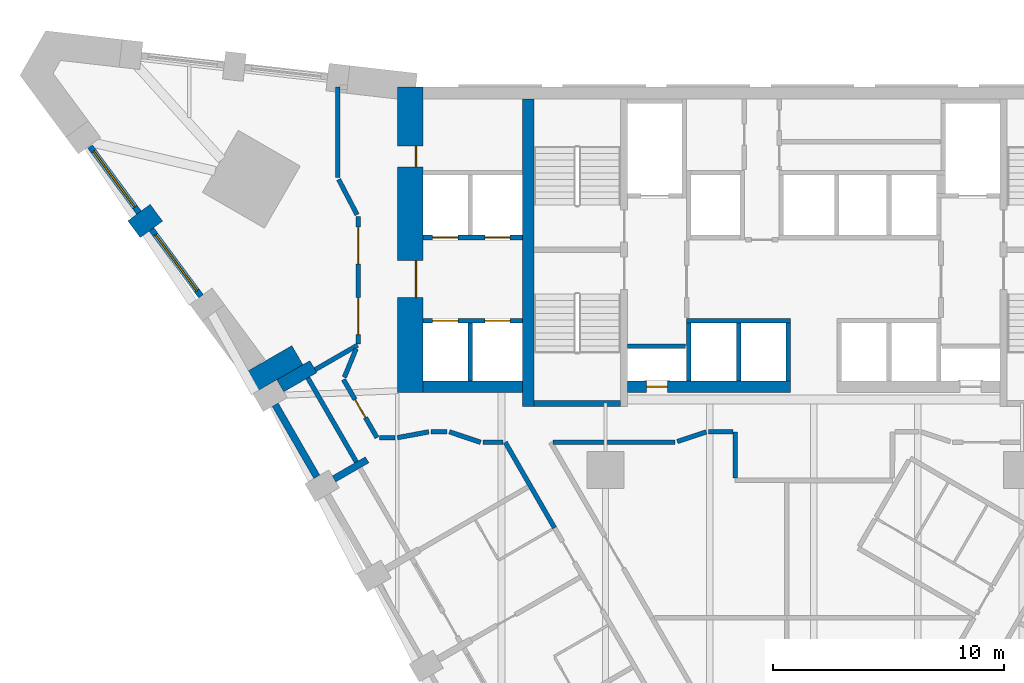
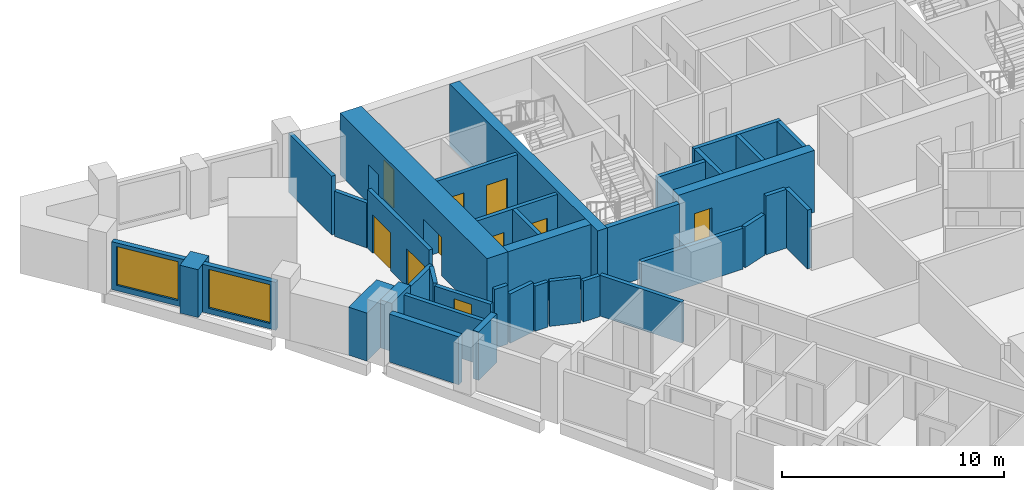
# One storey, part 7 of 12: 37 walls, 10 doors, 2 windows, 12 openings.
"""IFC4 building model written with IfcOpenShell, lengths in metres."""

from ifc_helpers import new_model, si_unit, direction, frame, frame_2d, origin, place, context, subcontext, project, spatial, rectangle, extrude, material, layer, layer_set, type_object, element, fill, save


model = new_model("IFC4")

# Units and contexts
model_context = context("Model", 3, precision=1e-05, world=origin(), true_north=direction((0.0, 1.0)))
body_context = subcontext(model_context, "Body", "Model", "MODEL_VIEW")
ifc_project = project(units=[si_unit("LENGTHUNIT", "METRE"), si_unit("AREAUNIT", "SQUARE_METRE"), si_unit("VOLUMEUNIT", "CUBIC_METRE"), si_unit("PLANEANGLEUNIT", "RADIAN"), si_unit("MASSUNIT", "GRAM", prefix="KILO")], contexts=[model_context])

# Site, building, storey
site_placement = place(None, origin())
site = spatial("IfcSite", under=ifc_project, at=site_placement, CompositionType="ELEMENT")
building_placement = place(site_placement, origin())
building = spatial("IfcBuilding", under=site, at=building_placement, Name="Calabash Gate Tower", CompositionType="ELEMENT")
storey_placement = place(building_placement, frame((0.0, 0.0, 83.39990234375)))
storey = spatial("IfcBuildingStorey", under=building, at=storey_placement, Name="L17", CompositionType="ELEMENT", Elevation=83.39990234375)

# Walls
ifc_material_1 = material(Name="Terracotta brick masonry, exposed face", Category="masonry")
ifc_layer_1 = layer(ifc_material_1, 2.5)
ifc_layer_set_1 = layer_set([ifc_layer_1], Name="Brick corner mass wall 2500")
wall_type_1 = type_object("IfcWallType", Name="Brick corner mass wall 2500", PredefinedType="SOLIDWALL", material=ifc_layer_set_1)
wall_1_placement = place(storey_placement, frame((-22.32666015625, 7.466064453125, 0.0), z_axis=(0.0, 0.0, 1.0), x_axis=(-0.866022959057, -0.500004234368, 0.0)))
element("IfcWall", 1, at=wall_1_placement, inside=storey, type_object=wall_type_1, Name="Brick corner pier S04 1", PredefinedType="SOLIDWALL", context=body_context, shape_type="SweptSolid", body=[
    extrude(rectangle(XDim=2.5, YDim=0.951904296875, at=frame_2d((1.25, 0.0))), origin(), (0.0, 0.0, 1.0), 2.630126953125),
])
ifc_material_2 = material(Name="Terracotta brick masonry, exposed face", Category="masonry")
ifc_layer_2 = layer(ifc_material_2, 1.199951171875)
ifc_layer_set_2 = layer_set([ifc_layer_2], Name="Brick end wall 1200")
wall_type_2 = type_object("IfcWallType", Name="Brick end wall 1200", PredefinedType="SOLIDWALL", material=ifc_layer_set_2)
wall_2_placement = place(storey_placement, frame((-29.388427734375, 12.91015625, 0.0), z_axis=(0.0, 0.0, 1.0), x_axis=(0.803477891264, 0.595334593527, 0.0)))
element("IfcWall", 2, at=wall_2_placement, inside=storey, type_object=wall_type_2, Name="Brick pier S04 wedge7.1", PredefinedType="SOLIDWALL", context=body_context, shape_type="SweptSolid", body=[
    extrude(rectangle(XDim=1.199951171875, YDim=0.89990234375, at=frame_2d((0.60009765625, 0.0))), origin(), (0.0, 0.0, 1.0), 2.630126953125),
])
ifc_material_3 = material(Name="Terracotta brick masonry, exposed face", Category="masonry")
ifc_layer_3 = layer(ifc_material_3, 0.300048828125)
ifc_layer_set_3 = layer_set([ifc_layer_3], Name="Brick infill panel wall 300")
wall_type_3 = type_object("IfcWallType", Name="Brick infill panel wall 300", PredefinedType="SOLIDWALL", material=ifc_layer_set_3)
wall_3_placement = place(storey_placement, frame((-23.2841796875, 5.324462890625, 0.0), z_axis=(0.0, 0.0, 1.0), x_axis=(0.500012057535, -0.866018442252, 0.0)))
element("IfcWall", 3, at=wall_3_placement, inside=storey, type_object=wall_type_3, Name="Brick panel S04 SW0.1", PredefinedType="SOLIDWALL", context=body_context, shape_type="SweptSolid", body=[
    extrude(rectangle(XDim=3.60009765625, YDim=0.300048828125, at=frame_2d((1.800048828125, 0.0))), origin(), (0.0, 0.0, 1.0), 2.630126953125),
])
ifc_material_4 = material(Name="Terracotta brick masonry, exposed face", Category="masonry")
ifc_layer_4 = layer(ifc_material_4, 0.300048828125)
ifc_layer_set_4 = layer_set([ifc_layer_4], Name="Brick loggia cheek wall 300")
wall_type_4 = type_object("IfcWallType", Name="Brick loggia cheek wall 300", PredefinedType="SOLIDWALL", material=ifc_layer_set_4)
wall_4_placement = place(storey_placement, frame((-21.635498046875, 6.968994140625, 0.0), z_axis=(0.0, 0.0, 1.0), x_axis=(-0.866040211805, -0.499974350878, 0.0)))
element("IfcWall", 4, at=wall_4_placement, inside=storey, type_object=wall_type_4, Name="Loggia cheek S04 SW0.0", PredefinedType="SOLIDWALL", context=body_context, shape_type="SweptSolid", body=[
    extrude(rectangle(XDim=1.64990234375, YDim=0.60009765625, at=frame_2d((0.824951171875, 0.0))), origin(), (0.0, 0.0, 1.0), 2.650146484375),
])
wall_5_placement = place(storey_placement, frame((-20.739501953125, 2.116943359375, 0.0), z_axis=(0.0, 0.0, 1.0), x_axis=(0.865976140824, 0.500085316245, 0.0)))
element("IfcWall", 5, at=wall_5_placement, inside=storey, type_object=wall_type_4, Name="Loggia cheek S04 SW0.1", PredefinedType="SOLIDWALL", context=body_context, shape_type="SweptSolid", body=[
    extrude(rectangle(XDim=1.650146484375, YDim=0.300048828125, at=frame_2d((0.8251953125, 0.0))), origin(), (0.0, 0.0, 1.0), 2.650146484375),
])

# Wall, openings, doors
ifc_material_5 = material(Name="Concrete C80/95", Category="concrete")
ifc_layer_5 = layer(ifc_material_5, 1.10009765625)
ifc_layer_set_5 = layer_set([ifc_layer_5], Name="Core wall 1100 Concrete C80/95")
wall_type_5 = type_object("IfcWallType", Name="Core wall 1100 Concrete C80/95", PredefinedType="SHEAR", material=ifc_layer_set_5)
wall_6_placement = place(storey_placement, frame((-17.449951171875, 5.8525390625, 0.0), z_axis=(0.0, 0.0, 1.0), x_axis=(0.0, 1.0, 0.0)))
wall_6 = element("IfcWall", 6, at=wall_6_placement, inside=storey, type_object=wall_type_5, Name="Core wall Z1-ENDW L17", PredefinedType="SHEAR", context=body_context, shape_type="SweptSolid", body=[
    extrude(rectangle(XDim=13.199951171875, YDim=1.10009765625, at=frame_2d((6.60009765625, 0.0))), origin(), (0.0, 0.0, 1.0), 3.400146484375),
])
opening_1_placement = place(wall_6_placement, frame((4.10009765625, 0.0, 0.0)))
opening_1 = element("IfcOpeningElement", 7, at=opening_1_placement, cuts=wall_6, Name="Opening H4-003", PredefinedType="OPENING", context=body_context, shape_type="SweptSolid", body=[
    extrude(rectangle(XDim=1.60009765625, YDim=2.10009765625, at=frame_2d((0.800048828125, 1.050048828125))), frame((0.0, 0.56005859375, 0.0), z_axis=(0.0, -1.0, 0.0), x_axis=(1.0, 0.0, 0.0)), (0.0, 0.0, 1.0), 1.1201171875),
])
opening_2_placement = place(wall_6_placement, frame((9.75, 0.0, 0.0)))
opening_2 = element("IfcOpeningElement", 8, at=opening_2_placement, cuts=wall_6, Name="Opening H4-004", PredefinedType="OPENING", context=body_context, shape_type="SweptSolid", body=[
    extrude(rectangle(XDim=0.89990234375, YDim=2.10009765625, at=frame_2d((0.449951171875, 1.050048828125))), frame((0.0, 0.56005859375, 0.0), z_axis=(0.0, -1.0, 0.0), x_axis=(1.0, 0.0, 0.0)), (0.0, 0.0, 1.0), 1.1201171875),
])
ifc_material_6 = material(Name="Steel fire door set with fire-resisting glazing", Category="steel")
door_type_1 = type_object("IfcDoorType", Name="Double fire door D08 1600x2100 FD60", OperationType="DOUBLE_DOOR_SINGLE_SWING", PredefinedType="DOOR", material=ifc_material_6)
door_1_placement = place(opening_1_placement, origin())
door_1 = element("IfcDoor", 9, at=door_1_placement, inside=storey, type_object=door_type_1, Name="Low-rise Lift Lobby W door", OperationType="DOUBLE_DOOR_SINGLE_SWING", OverallHeight=2.10009765625, OverallWidth=1.60009765625, PredefinedType="DOOR", context=body_context, shape_type="SweptSolid", body=[
    extrude(rectangle(XDim=1.60009765625, YDim=2.10009765625, at=frame_2d((0.800048828125, 1.050048828125))), frame((0.0, -0.22509765625, 0.0), z_axis=(0.0, -1.0, 0.0), x_axis=(1.0, 0.0, 0.0)), (0.0, 0.0, 1.0), 0.050048828125),
])
fill(opening_1, door_1)
ifc_material_7 = material(Name="Steel fire door set with fire-resisting glazing", Category="steel")
door_type_2 = type_object("IfcDoorType", Name="Fire door D06 900x2100 FD60", OperationType="NOTDEFINED", PredefinedType="DOOR", material=ifc_material_7)
door_2_placement = place(opening_2_placement, origin())
door_2 = element("IfcDoor", 10, at=door_2_placement, inside=storey, type_object=door_type_2, Name="Housekeeping Store door", OperationType="SINGLE_SWING_RIGHT", OverallHeight=2.10009765625, OverallWidth=0.89990234375, PredefinedType="DOOR", context=body_context, shape_type="SweptSolid", body=[
    extrude(rectangle(XDim=0.89990234375, YDim=2.10009765625, at=frame_2d((0.449951171875, 1.050048828125))), frame((0.0, -0.22509765625, 0.0), z_axis=(0.0, -1.0, 0.0), x_axis=(1.0, 0.0, 0.0)), (0.0, 0.0, 1.0), 0.050048828125),
])
fill(opening_2, door_2)

# Walls
ifc_material_8 = material(Name="Concrete C80/95", Category="concrete")
ifc_layer_6 = layer(ifc_material_8, 0.25)
ifc_layer_set_6 = layer_set([ifc_layer_6], Name="Core wall 250 Concrete C80/95")
wall_type_6 = type_object("IfcWallType", Name="Core wall 250 Concrete C80/95", PredefinedType="SHEAR", material=ifc_layer_set_6)
wall_7_placement = place(storey_placement, frame((-12.10009765625, 5.377685546875, 0.0), z_axis=(0.0, 0.0, 1.0), x_axis=(1.0, 0.0, 0.0)))
element("IfcWall", 11, at=wall_7_placement, inside=storey, type_object=wall_type_6, Name="Core wall Z1-SSW L17", PredefinedType="SHEAR", context=body_context, shape_type="SweptSolid", body=[
    extrude(rectangle(XDim=3.75, YDim=0.25, at=frame_2d((1.875, 0.0))), origin(), (0.0, 0.0, 1.0), 3.400146484375),
])
ifc_material_9 = material(Name="Concrete C80/95", Category="concrete")
ifc_layer_7 = layer(ifc_material_9, 0.5)
ifc_layer_set_7 = layer_set([ifc_layer_7], Name="Core wall 500 Concrete C80/95")
wall_type_7 = type_object("IfcWallType", Name="Core wall 500 Concrete C80/95", PredefinedType="SHEAR", material=ifc_layer_set_7)
wall_8_placement = place(storey_placement, frame((-12.35009765625, 5.252685546875, 0.0), z_axis=(0.0, 0.0, 1.0), x_axis=(0.0, 1.0, 0.0)))
element("IfcWall", 12, at=wall_8_placement, inside=storey, type_object=wall_type_7, Name="Core wall Z1-COLW L17", PredefinedType="SHEAR", context=body_context, shape_type="SweptSolid", body=[
    extrude(rectangle(XDim=13.2998046875, YDim=0.5, at=frame_2d((6.64990234375, 0.0))), origin(), (0.0, 0.0, 1.0), 3.400146484375),
])

# Wall, opening, door
wall_9_placement = place(storey_placement, frame((-8.050048828125, 6.1025390625, 0.0), z_axis=(0.0, 0.0, 1.0), x_axis=(1.0, 0.0, 0.0)))
wall_9 = element("IfcWall", 13, at=wall_9_placement, inside=storey, type_object=wall_type_7, Name="Core wall Z1-SA L17", PredefinedType="SHEAR", context=body_context, shape_type="SweptSolid", body=[
    extrude(rectangle(XDim=7.050048828125, YDim=0.5, at=frame_2d((3.52490234375, 0.0))), origin(), (0.0, 0.0, 1.0), 3.400146484375),
])
opening_3_placement = place(wall_9_placement, frame((0.824951171875, 0.0, 0.0)))
opening_3 = element("IfcOpeningElement", 14, at=opening_3_placement, cuts=wall_9, Name="Opening H4-012", PredefinedType="OPENING", context=body_context, shape_type="SweptSolid", body=[
    extrude(rectangle(XDim=0.89990234375, YDim=2.10009765625, at=frame_2d((0.449951171875, 1.050048828125))), frame((0.0, 0.260009765625, 0.0), z_axis=(0.0, -1.0, 0.0), x_axis=(1.0, 0.0, 0.0)), (0.0, 0.0, 1.0), 0.52001953125),
])
ifc_material_10 = material(Name="Steel fire door set with fire-resisting glazing", Category="steel")
door_type_3 = type_object("IfcDoorType", Name="Fire door D07 900x2100 FD90", OperationType="NOTDEFINED", PredefinedType="DOOR", material=ifc_material_10)
door_3_placement = place(opening_3_placement, origin())
door_3 = element("IfcDoor", 15, at=door_3_placement, inside=storey, type_object=door_type_3, Name="Electrical Riser W door", OperationType="SINGLE_SWING_LEFT", OverallHeight=2.10009765625, OverallWidth=0.89990234375, PredefinedType="DOOR", context=body_context, shape_type="SweptSolid", body=[
    extrude(rectangle(XDim=0.89990234375, YDim=2.10009765625, at=frame_2d((0.449951171875, 1.050048828125))), frame((0.0, 0.02490234375, 0.0), z_axis=(0.0, -1.0, 0.0), x_axis=(1.0, 0.0, 0.0)), (0.0, 0.0, 1.0), 0.050048828125),
])
fill(opening_3, door_3)

# Walls
wall_10_placement = place(storey_placement, frame((-12.60009765625, 6.1025390625, 0.0), z_axis=(0.0, 0.0, 1.0), x_axis=(-1.0, 0.0, 0.0)))
element("IfcWall", 16, at=wall_10_placement, inside=storey, type_object=wall_type_7, Name="Core wall Z1-SW L17", PredefinedType="SHEAR", context=body_context, shape_type="SweptSolid", body=[
    extrude(rectangle(XDim=4.2998046875, YDim=0.5, at=frame_2d((2.14990234375, 0.0))), origin(), (0.0, 0.0, 1.0), 3.400146484375),
])
ifc_material_11 = material(Name="Gypsum board on steel studs, mineral wool", Category="steel")
ifc_layer_8 = layer(ifc_material_11, 0.199951171875)
ifc_layer_set_8 = layer_set([ifc_layer_8], Name="Partition 200 gypsum board EI 60")
wall_type_8 = type_object("IfcWallType", Name="Partition 200 gypsum board EI 60", PredefinedType="PARTITIONING", material=ifc_layer_set_8)
wall_11_placement = place(storey_placement, frame((-13.33984375, 3.699462890625, 0.0), z_axis=(0.0, 0.0, 1.0), x_axis=(0.499410635897, -0.866365406023, 0.0)))
element("IfcWall", 17, at=wall_11_placement, inside=storey, type_object=wall_type_8, Name="Partition", PredefinedType="PARTITIONING", context=body_context, shape_type="SweptSolid", body=[
    extrude(rectangle(XDim=4.270751953125, YDim=0.199951171875, at=frame_2d((2.13525390625, 0.0))), origin(), (0.0, 0.0, 1.0), 2.24169921875),
])
wall_12_placement = place(storey_placement, frame((-3.402099609375, 4.150634765625, 0.0), z_axis=(0.0, 0.0, 1.0), x_axis=(0.000977397212, -0.999999522347, 0.0)))
element("IfcWall", 18, at=wall_12_placement, inside=storey, type_object=wall_type_8, Name="Partition", PredefinedType="PARTITIONING", context=body_context, shape_type="SweptSolid", body=[
    extrude(rectangle(XDim=1.998291015625, YDim=0.199951171875, at=frame_2d((0.9990234375, 0.0))), origin(), (0.0, 0.0, 1.0), 3.22998046875),
])
wall_13_placement = place(storey_placement, frame((-15.7578125, 4.152099609375, 0.0), z_axis=(0.0, 0.0, 1.0), x_axis=(0.948666237396, -0.316278943379, 0.0)))
element("IfcWall", 19, at=wall_13_placement, inside=storey, type_object=wall_type_8, Name="Partition", PredefinedType="PARTITIONING", context=body_context, shape_type="SweptSolid", body=[
    extrude(rectangle(XDim=1.43115234375, YDim=0.199951171875, at=frame_2d((0.715576171875, 0.0))), origin(), (0.0, 0.0, 1.0), 2.4736328125),
])
wall_14_placement = place(storey_placement, frame((-14.300048828125, 3.699462890625, 0.0), z_axis=(0.0, 0.0, 1.0), x_axis=(1.0, 0.0, 0.0)))
element("IfcWall", 20, at=wall_14_placement, inside=storey, type_object=wall_type_8, Name="Partition", PredefinedType="PARTITIONING", context=body_context, shape_type="SweptSolid", body=[
    extrude(rectangle(XDim=0.860107421875, YDim=0.199951171875, at=frame_2d((0.43017578125, 0.0))), origin(), (0.0, 0.0, 1.0), 2.24169921875),
])
wall_15_placement = place(storey_placement, frame((-11.2763671875, 3.69970703125, 0.0), z_axis=(0.0, 0.0, 1.0), x_axis=(1.0, 0.0, 0.0)))
element("IfcWall", 21, at=wall_15_placement, inside=storey, type_object=wall_type_8, Name="Partition", PredefinedType="PARTITIONING", context=body_context, shape_type="SweptSolid", body=[
    extrude(rectangle(XDim=5.2763671875, YDim=0.199951171875, at=frame_2d((2.63818359375, 0.0))), origin(), (0.0, 0.0, 1.0), 2.24169921875),
])

# Wall, opening, door
wall_16_placement = place(storey_placement, frame((-20.333984375, 6.4140625, 0.0), z_axis=(0.0, 0.0, 1.0), x_axis=(0.499991774685, -0.86603015262, 0.0)))
wall_16 = element("IfcWall", 22, at=wall_16_placement, inside=storey, type_object=wall_type_8, Name="Partition", PredefinedType="PARTITIONING", context=body_context, shape_type="SweptSolid", body=[
    extrude(rectangle(XDim=2.9033203125, YDim=0.199951171875, at=frame_2d((1.45166015625, 0.0))), origin(), (0.0, 0.0, 1.0), 2.4501953125),
])
opening_4_placement = place(wall_16_placement, frame((1.001708984375, 0.0, 0.0)))
opening_4 = element("IfcOpeningElement", 23, at=opening_4_placement, cuts=wall_16, Name="Opening 15-17-039", PredefinedType="OPENING", context=body_context, shape_type="SweptSolid", body=[
    extrude(rectangle(XDim=0.89990234375, YDim=2.10009765625, at=frame_2d((0.449951171875, 1.050048828125))), frame((0.0, 0.10986328125, 0.0), z_axis=(0.0, -1.0, 0.0), x_axis=(1.0, 0.0, 0.0)), (0.0, 0.0, 1.0), 0.219970703125),
])
ifc_material_12 = material(Name="Steel fire door set with fire-resisting glazing", Category="steel")
door_type_4 = type_object("IfcDoorType", Name="SD3 Store door 900x2100", OperationType="NOTDEFINED", PredefinedType="DOOR", material=ifc_material_12)
door_4_placement = place(opening_4_placement, origin())
door_4 = element("IfcDoor", 24, at=door_4_placement, inside=storey, type_object=door_type_4, Name="Store door", OperationType="SINGLE_SWING_RIGHT", OverallHeight=2.10009765625, OverallWidth=0.89990234375, PredefinedType="DOOR", context=body_context, shape_type="SweptSolid", body=[
    extrude(rectangle(XDim=0.89990234375, YDim=2.10009765625, at=frame_2d((0.449951171875, 1.050048828125))), frame((0.0, 0.02490234375, 0.0), z_axis=(0.0, -1.0, 0.0), x_axis=(1.0, 0.0, 0.0)), (0.0, 0.0, 1.0), 0.050048828125),
])
fill(opening_4, door_4)

# Walls
wall_17_placement = place(storey_placement, frame((-18.782470703125, 3.8994140625, 0.0), z_axis=(0.0, 0.0, 1.0), x_axis=(1.0, 0.0, 0.0)))
element("IfcWall", 25, at=wall_17_placement, inside=storey, type_object=wall_type_8, Name="Partition", PredefinedType="PARTITIONING", context=body_context, shape_type="SweptSolid", body=[
    extrude(rectangle(XDim=0.682373046875, YDim=0.199951171875, at=frame_2d((0.34130859375, 0.0))), origin(), (0.0, 0.0, 1.0), 3.22998046875),
])
wall_18_placement = place(storey_placement, frame((-18.0, 3.8994140625, 0.0), z_axis=(0.0, 0.0, 1.0), x_axis=(0.983117478865, 0.182975470352, 0.0)))
element("IfcWall", 26, at=wall_18_placement, inside=storey, type_object=wall_type_8, Name="Partition", PredefinedType="PARTITIONING", context=body_context, shape_type="SweptSolid", body=[
    extrude(rectangle(XDim=1.380859375, YDim=0.199951171875, at=frame_2d((0.6904296875, 0.0))), origin(), (0.0, 0.0, 1.0), 2.701904296875),
])
wall_19_placement = place(storey_placement, frame((-16.542236328125, 4.152099609375, 0.0), z_axis=(0.0, 0.0, 1.0), x_axis=(1.0, 0.0, 0.0)))
element("IfcWall", 27, at=wall_19_placement, inside=storey, type_object=wall_type_8, Name="Partition", PredefinedType="PARTITIONING", context=body_context, shape_type="SweptSolid", body=[
    extrude(rectangle(XDim=0.684326171875, YDim=0.199951171875, at=frame_2d((0.34228515625, 0.0))), origin(), (0.0, 0.0, 1.0), 2.4736328125),
])
wall_20_placement = place(storey_placement, frame((-5.905029296875, 3.7314453125, 0.0), z_axis=(0.0, 0.0, 1.0), x_axis=(0.948683298051, 0.316227766017, 0.0)))
element("IfcWall", 28, at=wall_20_placement, inside=storey, type_object=wall_type_8, Name="Partition", PredefinedType="PARTITIONING", context=body_context, shape_type="SweptSolid", body=[
    extrude(rectangle(XDim=1.3310546875, YDim=0.199951171875, at=frame_2d((0.66552734375, 0.0))), origin(), (0.0, 0.0, 1.0), 2.24169921875),
])
wall_21_placement = place(storey_placement, frame((-4.542236328125, 4.152099609375, 0.0), z_axis=(0.0, 0.0, 1.0), x_axis=(0.9999990086, -0.001408118764, 0.0)))
element("IfcWall", 29, at=wall_21_placement, inside=storey, type_object=wall_type_8, Name="Partition", PredefinedType="PARTITIONING", context=body_context, shape_type="SweptSolid", body=[
    extrude(rectangle(XDim=1.040283203125, YDim=0.199951171875, at=frame_2d((0.52001953125, 0.0))), origin(), (0.0, 0.0, 1.0), 3.22998046875),
])
wall_22_placement = place(storey_placement, frame((-20.296142578125, 6.506591796875, 0.0), z_axis=(0.0, 0.0, 1.0), x_axis=(0.379924425103, 0.925017530218, 0.0)))
element("IfcWall", 30, at=wall_22_placement, inside=storey, type_object=wall_type_8, Name="Partition", PredefinedType="PARTITIONING", context=body_context, shape_type="SweptSolid", body=[
    extrude(rectangle(XDim=1.339111328125, YDim=0.199951171875, at=frame_2d((0.66943359375, 0.0))), origin(), (0.0, 0.0, 1.0), 2.4736328125),
])
wall_23_placement = place(storey_placement, frame((-21.560546875, 6.839111328125, 0.0), z_axis=(0.0, 0.0, 1.0), x_axis=(0.866480611472, 0.499210726992, 0.0)))
element("IfcWall", 31, at=wall_23_placement, inside=storey, type_object=wall_type_8, Name="Partition", PredefinedType="PARTITIONING", context=body_context, shape_type="SweptSolid", body=[
    extrude(rectangle(XDim=2.12060546875, YDim=0.199951171875, at=frame_2d((1.060302734375, 0.0))), origin(), (0.0, 0.0, 1.0), 2.4736328125),
])

# Wall, openings, doors
wall_24_placement = place(storey_placement, frame((-19.700439453125, 7.95263671875, 0.0), z_axis=(0.0, 0.0, 1.0), x_axis=(0.0, 1.0, 0.0)))
wall_24 = element("IfcWall", 32, at=wall_24_placement, inside=storey, type_object=wall_type_8, Name="Partition", PredefinedType="PARTITIONING", context=body_context, shape_type="SweptSolid", body=[
    extrude(rectangle(XDim=5.499755859375, YDim=0.199951171875, at=frame_2d((2.75, 0.0))), origin(), (0.0, 0.0, 1.0), 3.22998046875),
])
opening_5_placement = place(wall_24_placement, frame((0.39990234375, 0.0, 0.0)))
opening_5 = element("IfcOpeningElement", 33, at=opening_5_placement, cuts=wall_24, Name="Opening 15-17-037", PredefinedType="OPENING", context=body_context, shape_type="SweptSolid", body=[
    extrude(rectangle(XDim=1.60009765625, YDim=2.10009765625, at=frame_2d((0.800048828125, 1.050048828125))), frame((0.0, 0.10986328125, 0.0), z_axis=(0.0, -1.0, 0.0), x_axis=(1.0, 0.0, 0.0)), (0.0, 0.0, 1.0), 0.219970703125),
])
opening_6_placement = place(wall_24_placement, frame((3.44970703125, 0.0, 0.0)))
opening_6 = element("IfcOpeningElement", 34, at=opening_6_placement, cuts=wall_24, Name="Opening 15-17-038", PredefinedType="OPENING", context=body_context, shape_type="SweptSolid", body=[
    extrude(rectangle(XDim=1.60009765625, YDim=2.10009765625, at=frame_2d((0.800048828125, 1.050048828125))), frame((0.0, 0.10986328125, 0.0), z_axis=(0.0, -1.0, 0.0), x_axis=(1.0, 0.0, 0.0)), (0.0, 0.0, 1.0), 0.219970703125),
])
ifc_material_13 = material(Name="Steel fire door set with fire-resisting glazing", Category="steel")
door_type_5 = type_object("IfcDoorType", Name="LD1 Lounge double door 1600x2100", OperationType="NOTDEFINED", PredefinedType="DOOR", material=ifc_material_13)
door_5_placement = place(opening_5_placement, origin())
door_5 = element("IfcDoor", 35, at=door_5_placement, inside=storey, type_object=door_type_5, Name="Lounge double door", OperationType="DOUBLE_DOOR_SINGLE_SWING", OverallHeight=2.10009765625, OverallWidth=1.60009765625, PredefinedType="DOOR", context=body_context, shape_type="SweptSolid", body=[
    extrude(rectangle(XDim=1.60009765625, YDim=2.10009765625, at=frame_2d((0.800048828125, 1.050048828125))), frame((0.0, 0.02490234375, 0.0), z_axis=(0.0, -1.0, 0.0), x_axis=(1.0, 0.0, 0.0)), (0.0, 0.0, 1.0), 0.050048828125),
])
fill(opening_5, door_5)
door_6_placement = place(opening_6_placement, origin())
door_6 = element("IfcDoor", 36, at=door_6_placement, inside=storey, type_object=door_type_5, Name="Lounge double door", OperationType="DOUBLE_DOOR_SINGLE_SWING", OverallHeight=2.10009765625, OverallWidth=1.60009765625, PredefinedType="DOOR", context=body_context, shape_type="SweptSolid", body=[
    extrude(rectangle(XDim=1.60009765625, YDim=2.10009765625, at=frame_2d((0.800048828125, 1.050048828125))), frame((0.0, 0.02490234375, 0.0), z_axis=(0.0, -1.0, 0.0), x_axis=(1.0, 0.0, 0.0)), (0.0, 0.0, 1.0), 0.050048828125),
])
fill(opening_6, door_6)

# Walls
wall_25_placement = place(storey_placement, frame((-20.542724609375, 15.063720703125, 0.0), z_axis=(0.0, 0.0, 1.0), x_axis=(0.463226309124, -0.886240027609, 0.0)))
element("IfcWall", 37, at=wall_25_placement, inside=storey, type_object=wall_type_8, Name="Partition", PredefinedType="PARTITIONING", context=body_context, shape_type="SweptSolid", body=[
    extrude(rectangle(XDim=1.71826171875, YDim=0.199951171875, at=frame_2d((0.859130859375, 0.0))), origin(), (0.0, 0.0, 1.0), 2.4736328125),
])
wall_26_placement = place(storey_placement, frame((-20.589111328125, 19.052490234375, 0.0), z_axis=(0.0, 0.0, 1.0), x_axis=(0.0, -1.0, 0.0)))
element("IfcWall", 38, at=wall_26_placement, inside=storey, type_object=wall_type_8, Name="Partition", PredefinedType="PARTITIONING", context=body_context, shape_type="SweptSolid", body=[
    extrude(rectangle(XDim=3.89990234375, YDim=0.199951171875, at=frame_2d((1.949951171875, 0.0))), origin(), (0.0, 0.0, 1.0), 3.22998046875),
])

# Wall, opening, window
ifc_material_14 = material(Name="Aluminium framed window wall with insulated spandrel", Category="aluminium")
ifc_layer_9 = layer(ifc_material_14, 0.25)
ifc_layer_set_9 = layer_set([ifc_layer_9], Name="Prow window wall 250")
wall_type_9 = type_object("IfcWallType", Name="Prow window wall 250", PredefinedType="ELEMENTEDWALL", material=ifc_layer_set_9)
wall_27_placement = place(storey_placement, frame((-31.28759765625, 16.481201171875, 0.0), z_axis=(0.0, 0.0, 1.0), x_axis=(0.595304805086, -0.803499962067, 0.0)))
wall_27 = element("IfcWall", 39, at=wall_27_placement, inside=storey, type_object=wall_type_9, Name="Prow window wall S04 wedge7.1", PredefinedType="ELEMENTEDWALL", context=body_context, shape_type="SweptSolid", body=[
    extrude(rectangle(XDim=3.552001953125, YDim=0.25, at=frame_2d((1.77587890625, 0.0))), origin(), (0.0, 0.0, 1.0), 2.630126953125),
])
opening_7_placement = place(wall_27_placement, frame((0.25, 0.0, 0.300048828125)))
opening_7 = element("IfcOpeningElement", 40, at=opening_7_placement, cuts=wall_27, Name="Opening WP1L-2130", PredefinedType="OPENING", context=body_context, shape_type="SweptSolid", body=[
    extrude(rectangle(XDim=3.0, YDim=2.1298828125, at=frame_2d((1.5, 1.06494140625))), frame((0.0, 0.135009765625, 0.0), z_axis=(0.0, -1.0, 0.0), x_axis=(1.0, 0.0, 0.0)), (0.0, 0.0, 1.0), 0.27001953125),
])
ifc_material_15 = material(Name="Anodised aluminium frame, bronze finish, impact-rated laminated clear glazing", Category="aluminium")
window_type = type_object("IfcWindowType", Name="Window WP1L 3000x2130", PartitioningType="DOUBLE_PANEL_VERTICAL", PredefinedType="WINDOW", material=ifc_material_15)
window_1_placement = place(opening_7_placement, origin())
window_1 = element("IfcWindow", 41, at=window_1_placement, inside=storey, type_object=window_type, Name="Prow window WP1L S04 wedge7.1", OverallHeight=2.1298828125, OverallWidth=3.0, PartitioningType="SINGLE_PANEL", PredefinedType="WINDOW", context=body_context, shape_type="SweptSolid", body=[
    extrude(rectangle(XDim=3.0, YDim=2.1298828125, at=frame_2d((1.5, 1.06494140625))), frame((0.0, 0.030029296875, 0.0), z_axis=(0.0, -1.0, 0.0), x_axis=(1.0, 0.0, 0.0)), (0.0, 0.0, 1.0), 0.06005859375),
])
fill(opening_7, window_1)

wall_28_placement = place(storey_placement, frame((-28.638427734375, 12.905517578125, 0.0), z_axis=(0.0, 0.0, 1.0), x_axis=(0.595302153335, -0.803501926715, 0.0)))
wall_28 = element("IfcWall", 42, at=wall_28_placement, inside=storey, type_object=wall_type_9, Name="Prow window wall S04 wedge7.2", PredefinedType="ELEMENTEDWALL", context=body_context, shape_type="SweptSolid", body=[
    extrude(rectangle(XDim=3.599853515625, YDim=0.25, at=frame_2d((1.7998046875, 0.0))), origin(), (0.0, 0.0, 1.0), 2.630126953125),
])
opening_8_placement = place(wall_28_placement, frame((0.300048828125, 0.0, 0.300048828125)))
opening_8 = element("IfcOpeningElement", 43, at=opening_8_placement, cuts=wall_28, Name="Opening WP1L-2130", PredefinedType="OPENING", context=body_context, shape_type="SweptSolid", body=[
    extrude(rectangle(XDim=3.0, YDim=2.1298828125, at=frame_2d((1.5, 1.06494140625))), frame((0.0, 0.135009765625, 0.0), z_axis=(0.0, -1.0, 0.0), x_axis=(1.0, 0.0, 0.0)), (0.0, 0.0, 1.0), 0.27001953125),
])
window_2_placement = place(opening_8_placement, origin())
window_2 = element("IfcWindow", 44, at=window_2_placement, inside=storey, type_object=window_type, Name="Prow window WP1L S04 wedge7.2", OverallHeight=2.1298828125, OverallWidth=3.0, PartitioningType="SINGLE_PANEL", PredefinedType="WINDOW", context=body_context, shape_type="SweptSolid", body=[
    extrude(rectangle(XDim=3.0, YDim=2.1298828125, at=frame_2d((1.5, 1.06494140625))), frame((0.0, 0.030029296875, 0.0), z_axis=(0.0, -1.0, 0.0), x_axis=(1.0, 0.0, 0.0)), (0.0, 0.0, 1.0), 0.06005859375),
])
fill(opening_8, window_2)

# Walls
ifc_material_16 = material(Name="Concrete C40/50", Category="concrete")
ifc_layer_10 = layer(ifc_material_16, 0.199951171875)
ifc_layer_set_10 = layer_set([ifc_layer_10], Name="Shaft wall 200 Concrete C40/50")
wall_type_10 = type_object("IfcWallType", Name="Shaft wall 200 Concrete C40/50", PredefinedType="SOLIDWALL", material=ifc_layer_set_10)
for number, where, z_axis, x_axis, name in (
    (45, (-14.85009765625, 6.3525390625, 0.0), (0.0, 0.0, 1.0), (0.0, 1.0, 0.0), "Shaft wall"),
    (46, (-5.39990234375, 6.3525390625, 0.0), (0.0, 0.0, 1.0), (0.0, 1.0, 0.0), "Shaft wall"),
    (47, (-3.25, 6.3525390625, 0.0), (0.0, 0.0, 1.0), (0.0, 1.0, 0.0), "Shaft wall"),
    (48, (-1.10009765625, 6.3525390625, 0.0), (0.0, 0.0, 1.0), (0.0, 1.0, 0.0), "Shaft wall"),
    (49, (-8.050048828125, 7.8525390625, 0.0), (0.0, 0.0, 1.0), (1.0, 0.0, 0.0), "Shaft wall"),
):
    element("IfcWall", number, at=place(storey_placement, frame(where, z_axis=z_axis, x_axis=x_axis)), inside=storey, type_object=wall_type_10, Name=name, PredefinedType="SOLIDWALL", context=body_context, shape_type="SweptSolid", body=[
        extrude(rectangle(XDim=2.5, YDim=0.199951171875, at=frame_2d((1.25, 0.0))), origin(), (0.0, 0.0, 1.0), 3.22998046875),
    ])

# Wall, openings, doors
wall_29_placement = place(storey_placement, frame((-16.89990234375, 8.95263671875, 0.0), z_axis=(0.0, 0.0, 1.0), x_axis=(1.0, 0.0, 0.0)))
wall_29 = element("IfcWall", 50, at=wall_29_placement, inside=storey, type_object=wall_type_10, Name="Shaft wall", PredefinedType="SOLIDWALL", context=body_context, shape_type="SweptSolid", body=[
    extrude(rectangle(XDim=4.2998046875, YDim=0.199951171875, at=frame_2d((2.14990234375, 0.0))), origin(), (0.0, 0.0, 1.0), 3.22998046875),
])
opening_9_placement = place(wall_29_placement, frame((2.675048828125, 0.0, 0.0)))
opening_9 = element("IfcOpeningElement", 51, at=opening_9_placement, cuts=wall_29, Name="Opening LD-LR1", PredefinedType="OPENING", context=body_context, shape_type="SweptSolid", body=[
    extrude(rectangle(XDim=1.10009765625, YDim=2.10009765625, at=frame_2d((0.550048828125, 1.050048828125))), frame((0.0, 0.10986328125, 0.0), z_axis=(0.0, -1.0, 0.0), x_axis=(1.0, 0.0, 0.0)), (0.0, 0.0, 1.0), 0.219970703125),
])
opening_10_placement = place(wall_29_placement, frame((0.425048828125, 0.0, 0.0)))
opening_10 = element("IfcOpeningElement", 52, at=opening_10_placement, cuts=wall_29, Name="Opening LD-LR2", PredefinedType="OPENING", context=body_context, shape_type="SweptSolid", body=[
    extrude(rectangle(XDim=1.10009765625, YDim=2.10009765625, at=frame_2d((0.550048828125, 1.050048828125))), frame((0.0, 0.10986328125, 0.0), z_axis=(0.0, -1.0, 0.0), x_axis=(1.0, 0.0, 0.0)), (0.0, 0.0, 1.0), 0.219970703125),
])
ifc_material_17 = material(Name="Stainless steel sliding door leaves", Category="steel")
door_type_6 = type_object("IfcDoorType", Name="Lift landing door LS1 1100x2100 FD90", OperationType="DOUBLE_DOOR_SLIDING", PredefinedType="DOOR", material=ifc_material_17)
door_7_placement = place(opening_9_placement, origin())
door_7 = element("IfcDoor", 53, at=door_7_placement, inside=storey, type_object=door_type_6, Name="Lift landing door LR1", OperationType="DOUBLE_DOOR_SLIDING", OverallHeight=2.10009765625, OverallWidth=1.10009765625, PredefinedType="DOOR", context=body_context, shape_type="SweptSolid", body=[
    extrude(rectangle(XDim=1.10009765625, YDim=2.10009765625, at=frame_2d((0.550048828125, 1.050048828125))), frame((0.0, 0.02490234375, 0.0), z_axis=(0.0, -1.0, 0.0), x_axis=(1.0, 0.0, 0.0)), (0.0, 0.0, 1.0), 0.050048828125),
])
fill(opening_9, door_7)
door_8_placement = place(opening_10_placement, origin())
door_8 = element("IfcDoor", 54, at=door_8_placement, inside=storey, type_object=door_type_6, Name="Lift landing door LR2", OperationType="DOUBLE_DOOR_SLIDING", OverallHeight=2.10009765625, OverallWidth=1.10009765625, PredefinedType="DOOR", context=body_context, shape_type="SweptSolid", body=[
    extrude(rectangle(XDim=1.10009765625, YDim=2.10009765625, at=frame_2d((0.550048828125, 1.050048828125))), frame((0.0, 0.02490234375, 0.0), z_axis=(0.0, -1.0, 0.0), x_axis=(1.0, 0.0, 0.0)), (0.0, 0.0, 1.0), 0.050048828125),
])
fill(opening_10, door_8)

# Wall
wall_30_placement = place(storey_placement, frame((-5.5, 8.95263671875, 0.0), z_axis=(0.0, 0.0, 1.0), x_axis=(1.0, 0.0, 0.0)))
element("IfcWall", 55, at=wall_30_placement, inside=storey, type_object=wall_type_10, Name="Shaft wall", PredefinedType="SOLIDWALL", context=body_context, shape_type="SweptSolid", body=[
    extrude(rectangle(XDim=4.5, YDim=0.199951171875, at=frame_2d((2.25, 0.0))), origin(), (0.0, 0.0, 1.0), 3.22998046875),
])

# Wall, openings, doors
wall_31_placement = place(storey_placement, frame((-16.89990234375, 12.552490234375, 0.0), z_axis=(0.0, 0.0, 1.0), x_axis=(1.0, 0.0, 0.0)))
wall_31 = element("IfcWall", 56, at=wall_31_placement, inside=storey, type_object=wall_type_10, Name="Shaft wall", PredefinedType="SOLIDWALL", context=body_context, shape_type="SweptSolid", body=[
    extrude(rectangle(XDim=4.2998046875, YDim=0.199951171875, at=frame_2d((2.14990234375, 0.0))), origin(), (0.0, 0.0, 1.0), 3.22998046875),
])
opening_11_placement = place(wall_31_placement, frame((2.675048828125, 0.0, 0.0)))
opening_11 = element("IfcOpeningElement", 57, at=opening_11_placement, cuts=wall_31, Name="Opening LD-LR3", PredefinedType="OPENING", context=body_context, shape_type="SweptSolid", body=[
    extrude(rectangle(XDim=1.10009765625, YDim=2.10009765625, at=frame_2d((0.550048828125, 1.050048828125))), frame((0.0, 0.10986328125, 0.0), z_axis=(0.0, -1.0, 0.0), x_axis=(1.0, 0.0, 0.0)), (0.0, 0.0, 1.0), 0.219970703125),
])
opening_12_placement = place(wall_31_placement, frame((0.425048828125, 0.0, 0.0)))
opening_12 = element("IfcOpeningElement", 58, at=opening_12_placement, cuts=wall_31, Name="Opening LD-LR4", PredefinedType="OPENING", context=body_context, shape_type="SweptSolid", body=[
    extrude(rectangle(XDim=1.10009765625, YDim=2.10009765625, at=frame_2d((0.550048828125, 1.050048828125))), frame((0.0, 0.10986328125, 0.0), z_axis=(0.0, -1.0, 0.0), x_axis=(1.0, 0.0, 0.0)), (0.0, 0.0, 1.0), 0.219970703125),
])
door_9_placement = place(opening_11_placement, origin())
door_9 = element("IfcDoor", 59, at=door_9_placement, inside=storey, type_object=door_type_6, Name="Lift landing door LR3", OperationType="DOUBLE_DOOR_SLIDING", OverallHeight=2.10009765625, OverallWidth=1.10009765625, PredefinedType="DOOR", context=body_context, shape_type="SweptSolid", body=[
    extrude(rectangle(XDim=1.10009765625, YDim=2.10009765625, at=frame_2d((0.550048828125, 1.050048828125))), frame((0.0, 0.02490234375, 0.0), z_axis=(0.0, -1.0, 0.0), x_axis=(1.0, 0.0, 0.0)), (0.0, 0.0, 1.0), 0.050048828125),
])
fill(opening_11, door_9)
door_10_placement = place(opening_12_placement, origin())
door_10 = element("IfcDoor", 60, at=door_10_placement, inside=storey, type_object=door_type_6, Name="Lift landing door LR4", OperationType="DOUBLE_DOOR_SLIDING", OverallHeight=2.10009765625, OverallWidth=1.10009765625, PredefinedType="DOOR", context=body_context, shape_type="SweptSolid", body=[
    extrude(rectangle(XDim=1.10009765625, YDim=2.10009765625, at=frame_2d((0.550048828125, 1.050048828125))), frame((0.0, 0.02490234375, 0.0), z_axis=(0.0, -1.0, 0.0), x_axis=(1.0, 0.0, 0.0)), (0.0, 0.0, 1.0), 0.050048828125),
])
fill(opening_12, door_10)

# Wall
ifc_material_18 = material(Name="Aluminium framed window wall with insulated spandrel", Category="aluminium")
ifc_layer_11 = layer(ifc_material_18, 0.199951171875)
ifc_layer_set_11 = layer_set([ifc_layer_11], Name="Window wall 200")
wall_type_11 = type_object("IfcWallType", Name="Window wall 200", PredefinedType="ELEMENTEDWALL", material=ifc_layer_set_11)
wall_32_placement = place(storey_placement, frame((-21.875244140625, 6.484130859375, 0.0), z_axis=(0.0, 0.0, 1.0), x_axis=(0.49998411664, -0.866034573852, 0.0)))
element("IfcWall", 61, at=wall_32_placement, inside=storey, type_object=wall_type_11, Name="Window wall S04 SW0.1", PredefinedType="ELEMENTEDWALL", context=body_context, shape_type="SweptSolid", body=[
    extrude(rectangle(XDim=4.199951171875, YDim=0.199951171875, at=frame_2d((2.10009765625, 0.0))), origin(), (0.0, 0.0, 1.0), 2.4501953125),
])

save(model, "model.ifc")
